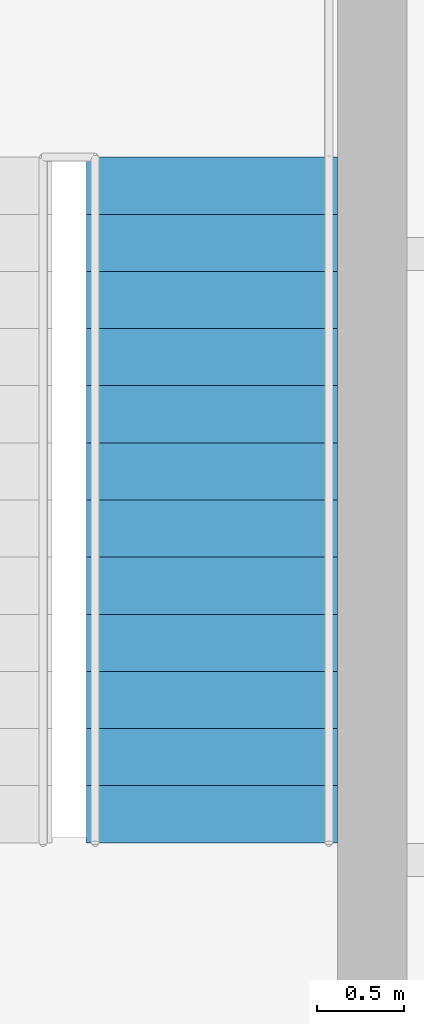
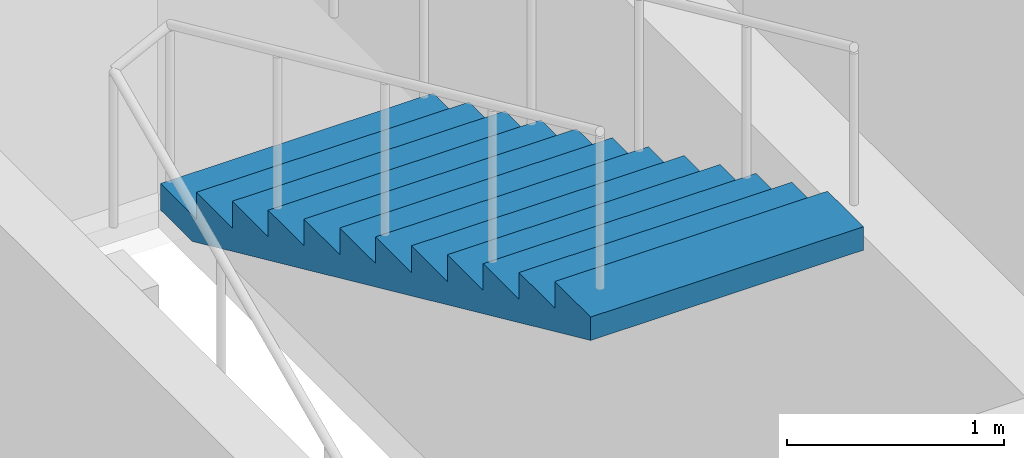
# One storey, part 9 of 10: 1 stair flight, 1 element without a shape of its own.
"""IFC4 building model written with IfcOpenShell, lengths in metres."""

from ifc_helpers import new_model, si_unit, direction, frame, origin, place, context, subcontext, project, spatial, polygons, material, type_object, element, aggregate, save


model = new_model("IFC4")

# Units and contexts
model_context = context("Model", 3, precision=1e-05, world=origin(), true_north=direction((0.0, 1.0)))
body_context = subcontext(model_context, "Body", "Model", "MODEL_VIEW")
ifc_project = project(units=[si_unit("LENGTHUNIT", "METRE"), si_unit("AREAUNIT", "SQUARE_METRE"), si_unit("VOLUMEUNIT", "CUBIC_METRE"), si_unit("PLANEANGLEUNIT", "RADIAN"), si_unit("MASSUNIT", "GRAM", prefix="KILO")], contexts=[model_context])

# Site, building, storey
site_placement = place(None, origin())
site = spatial("IfcSite", under=ifc_project, at=site_placement, CompositionType="ELEMENT")
building_placement = place(site_placement, origin())
building = spatial("IfcBuilding", under=site, at=building_placement, Name="Njiva Tower", CompositionType="ELEMENT")
storey_placement = place(building_placement, frame((0.0, 0.0, 284.4)))
storey = spatial("IfcBuildingStorey", under=building, at=storey_placement, Name="L65", CompositionType="ELEMENT", Elevation=284.4)

# Stair, stair flight
ifc_material = material(Name="Concrete C40/50", Category="concrete")
stair_type = type_object("IfcStairType", Name="ST3 Exit stair 1450", PredefinedType="HALF_TURN_STAIR", material=ifc_material)
stair_placement = place(storey_placement, origin())
stair = element("IfcStair", 1, at=stair_placement, inside=storey, type_object=stair_type, Name="Stair B", PredefinedType="HALF_TURN_STAIR")
stair_flight_type = type_object("IfcStairFlightType", Name="FL3 Stair flight 1450", PredefinedType="STRAIGHT", material=ifc_material)
stair_flight_placement = place(storey_placement, frame((13.375, 15.06, 1.95), z_axis=(0.0, 0.0, 1.0), x_axis=(0.0, -1.0, 0.0)))
stair_flight = element("IfcStairFlight", 2, at=stair_flight_placement, type_object=stair_flight_type, Name="ST-B flight 2", NumberOfRisers=13, NumberOfTreads=12, PredefinedType="STRAIGHT", RiserHeight=0.15, TreadLength=0.33, context=body_context, shape_type="Tessellation", body=[
    polygons([(0.0, 0.725, 0.0), (0.0, 0.3625, 0.0), (0.0, 0.0, 0.0), (0.0, -0.3625, 0.0), (0.0, -0.725, 0.0), (0.0, 0.725, 0.15), (0.0, 0.3625, 0.15), (0.0, 0.0, 0.15), (0.0, -0.3625, 0.15), (0.0, -0.725, 0.15), (0.33, 0.725, 0.15), (0.33, 0.3625, 0.15), (0.33, 0.0, 0.15), (0.33, -0.3625, 0.15), (0.33, -0.725, 0.15), (0.33, 0.725, 0.3), (0.33, 0.3625, 0.3), (0.33, 0.0, 0.3), (0.33, -0.3625, 0.3), (0.33, -0.725, 0.3), (0.66, 0.725, 0.3), (0.66, 0.3625, 0.3), (0.66, 0.0, 0.3), (0.66, -0.3625, 0.3), (0.66, -0.725, 0.3), (0.66, 0.725, 0.45), (0.66, 0.3625, 0.45), (0.66, 0.0, 0.45), (0.66, -0.3625, 0.45), (0.66, -0.725, 0.45), (0.99, 0.725, 0.45), (0.99, 0.3625, 0.45), (0.99, 0.0, 0.45), (0.99, -0.3625, 0.45), (0.99, -0.725, 0.45), (0.99, 0.725, 0.6), (0.99, 0.3625, 0.6), (0.99, 0.0, 0.6), (0.99, -0.3625, 0.6), (0.99, -0.725, 0.6), (1.32, 0.725, 0.6), (1.32, 0.3625, 0.6), (1.32, 0.0, 0.6), (1.32, -0.3625, 0.6), (1.32, -0.725, 0.6), (1.32, 0.725, 0.75), (1.32, 0.3625, 0.75), (1.32, 0.0, 0.75), (1.32, -0.3625, 0.75), (1.32, -0.725, 0.75), (1.65, 0.725, 0.75), (1.65, 0.3625, 0.75), (1.65, 0.0, 0.75), (1.65, -0.3625, 0.75), (1.65, -0.725, 0.75), (1.65, 0.725, 0.9), (1.65, 0.3625, 0.9), (1.65, 0.0, 0.9), (1.65, -0.3625, 0.9), (1.65, -0.725, 0.9), (1.98, 0.725, 0.9), (1.98, 0.3625, 0.9), (1.98, 0.0, 0.9), (1.98, -0.3625, 0.9), (1.98, -0.725, 0.9), (1.98, 0.725, 1.05), (1.98, 0.3625, 1.05), (1.98, 0.0, 1.05), (1.98, -0.3625, 1.05), (1.98, -0.725, 1.05), (2.31, 0.725, 1.05), (2.31, 0.3625, 1.05), (2.31, 0.0, 1.05), (2.31, -0.3625, 1.05), (2.31, -0.725, 1.05), (2.31, 0.725, 1.2), (2.31, 0.3625, 1.2), (2.31, 0.0, 1.2), (2.31, -0.3625, 1.2), (2.31, -0.725, 1.2), (2.64, 0.725, 1.2), (2.64, 0.3625, 1.2), (2.64, 0.0, 1.2), (2.64, -0.3625, 1.2), (2.64, -0.725, 1.2), (2.64, 0.725, 1.35), (2.64, 0.3625, 1.35), (2.64, 0.0, 1.35), (2.64, -0.3625, 1.35), (2.64, -0.725, 1.35), (2.97, 0.725, 1.35), (2.97, 0.3625, 1.35), (2.97, 0.0, 1.35), (2.97, -0.3625, 1.35), (2.97, -0.725, 1.35), (2.97, 0.725, 1.5), (2.97, 0.3625, 1.5), (2.97, 0.0, 1.5), (2.97, -0.3625, 1.5), (2.97, -0.725, 1.5), (3.3, 0.725, 1.5), (3.3, 0.3625, 1.5), (3.3, 0.0, 1.5), (3.3, -0.3625, 1.5), (3.3, -0.725, 1.5), (3.3, 0.725, 1.65), (3.3, 0.3625, 1.65), (3.3, 0.0, 1.65), (3.3, -0.3625, 1.65), (3.3, -0.725, 1.65), (3.63, 0.725, 1.65), (3.63, 0.3625, 1.65), (3.63, 0.0, 1.65), (3.63, -0.3625, 1.65), (3.63, -0.725, 1.65), (3.63, 0.725, 1.8), (3.63, 0.3625, 1.8), (3.63, 0.0, 1.8), (3.63, -0.3625, 1.8), (3.63, -0.725, 1.8), (3.96, 0.725, 1.8), (3.96, 0.3625, 1.8), (3.96, 0.0, 1.8), (3.96, -0.3625, 1.8), (3.96, -0.725, 1.8), (3.96, 0.725, 1.6682), (3.96, 0.3625, 1.6682), (3.96, 0.0, 1.6682), (3.96, -0.3625, 1.6682), (3.96, -0.725, 1.6682), (0.29, 0.725, 0.0), (0.29, 0.3625, 0.0), (0.29, 0.0, 0.0), (0.29, -0.3625, 0.0), (0.29, -0.725, 0.0)], [[[1, 6, 11, 16, 21, 26, 31, 36, 41, 46, 51, 56, 61, 66, 71, 76, 81, 86, 91, 96, 101, 106, 111, 116, 121, 126, 131]], [[135, 130, 125, 120, 115, 110, 105, 100, 95, 90, 85, 80, 75, 70, 65, 60, 55, 50, 45, 40, 35, 30, 25, 20, 15, 10, 5]], [[6, 1, 2, 7]], [[7, 2, 3, 8]], [[8, 3, 4, 9]], [[9, 4, 5, 10]], [[11, 6, 7, 12]], [[12, 7, 8, 13]], [[13, 8, 9, 14]], [[14, 9, 10, 15]], [[16, 11, 12, 17]], [[17, 12, 13, 18]], [[18, 13, 14, 19]], [[19, 14, 15, 20]], [[21, 16, 17, 22]], [[22, 17, 18, 23]], [[23, 18, 19, 24]], [[24, 19, 20, 25]], [[26, 21, 22, 27]], [[27, 22, 23, 28]], [[28, 23, 24, 29]], [[29, 24, 25, 30]], [[31, 26, 27, 32]], [[32, 27, 28, 33]], [[33, 28, 29, 34]], [[34, 29, 30, 35]], [[36, 31, 32, 37]], [[37, 32, 33, 38]], [[38, 33, 34, 39]], [[39, 34, 35, 40]], [[41, 36, 37, 42]], [[42, 37, 38, 43]], [[43, 38, 39, 44]], [[44, 39, 40, 45]], [[46, 41, 42, 47]], [[47, 42, 43, 48]], [[48, 43, 44, 49]], [[49, 44, 45, 50]], [[51, 46, 47, 52]], [[52, 47, 48, 53]], [[53, 48, 49, 54]], [[54, 49, 50, 55]], [[56, 51, 52, 57]], [[57, 52, 53, 58]], [[58, 53, 54, 59]], [[59, 54, 55, 60]], [[61, 56, 57, 62]], [[62, 57, 58, 63]], [[63, 58, 59, 64]], [[64, 59, 60, 65]], [[66, 61, 62, 67]], [[67, 62, 63, 68]], [[68, 63, 64, 69]], [[69, 64, 65, 70]], [[71, 66, 67, 72]], [[72, 67, 68, 73]], [[73, 68, 69, 74]], [[74, 69, 70, 75]], [[76, 71, 72, 77]], [[77, 72, 73, 78]], [[78, 73, 74, 79]], [[79, 74, 75, 80]], [[81, 76, 77, 82]], [[82, 77, 78, 83]], [[83, 78, 79, 84]], [[84, 79, 80, 85]], [[86, 81, 82, 87]], [[87, 82, 83, 88]], [[88, 83, 84, 89]], [[89, 84, 85, 90]], [[91, 86, 87, 92]], [[92, 87, 88, 93]], [[93, 88, 89, 94]], [[94, 89, 90, 95]], [[96, 91, 92, 97]], [[97, 92, 93, 98]], [[98, 93, 94, 99]], [[99, 94, 95, 100]], [[101, 96, 97, 102]], [[102, 97, 98, 103]], [[103, 98, 99, 104]], [[104, 99, 100, 105]], [[106, 101, 102, 107]], [[107, 102, 103, 108]], [[108, 103, 104, 109]], [[109, 104, 105, 110]], [[111, 106, 107, 112]], [[112, 107, 108, 113]], [[113, 108, 109, 114]], [[114, 109, 110, 115]], [[116, 111, 112, 117]], [[117, 112, 113, 118]], [[118, 113, 114, 119]], [[119, 114, 115, 120]], [[121, 116, 117, 122]], [[122, 117, 118, 123]], [[123, 118, 119, 124]], [[124, 119, 120, 125]], [[126, 121, 122, 127]], [[127, 122, 123, 128]], [[128, 123, 124, 129]], [[129, 124, 125, 130]], [[131, 126, 127, 132]], [[132, 127, 128, 133]], [[133, 128, 129, 134]], [[134, 129, 130, 135]], [[1, 131, 132, 2]], [[2, 132, 133, 3]], [[3, 133, 134, 4]], [[4, 134, 135, 5]]], closed=True),
])
aggregate(stair, [stair_flight])

save(model, "model.ifc")
